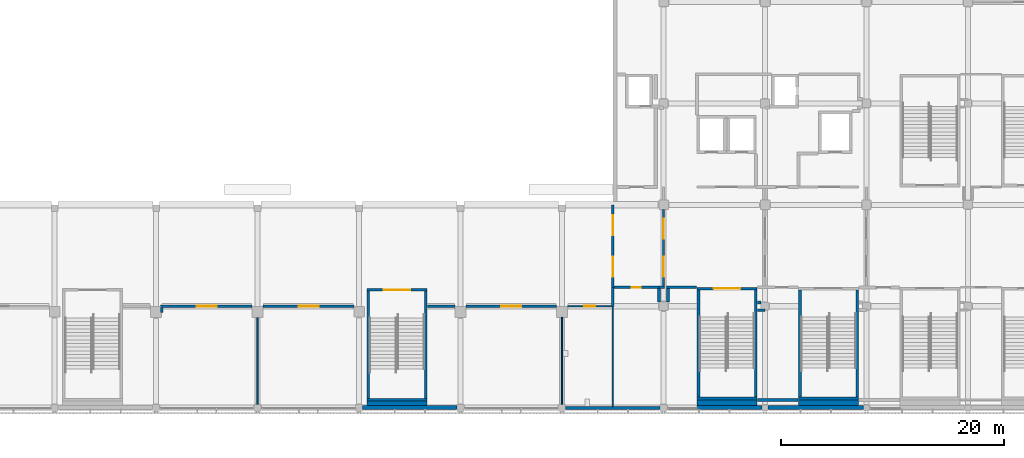
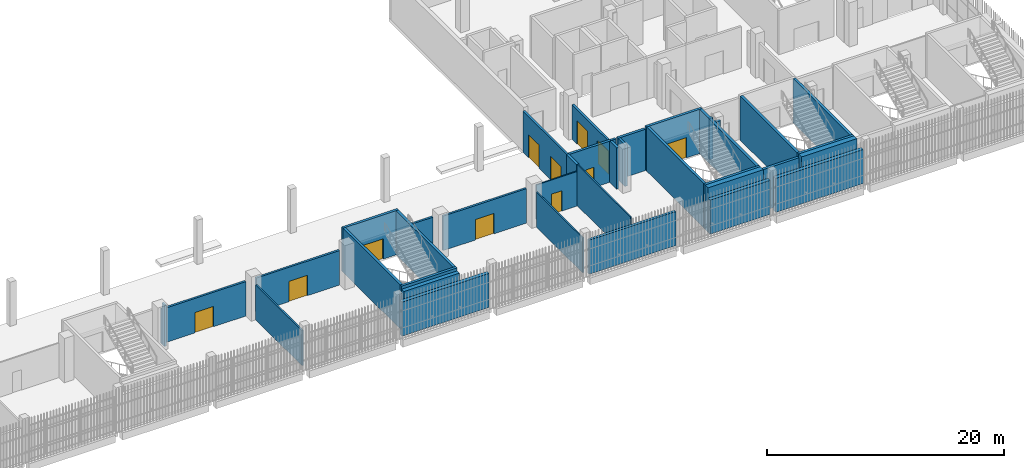
# One storey, part 77 of 126: 38 walls, 11 doors, 11 openings.
"""IFC4 building model written with IfcOpenShell, lengths in metres."""

from ifc_helpers import new_model, si_unit, direction, frame, frame_2d, origin, place, context, subcontext, project, spatial, rectangle, extrude, material, layer, layer_set, type_object, element, fill, save


model = new_model("IFC4")

# Units and contexts
model_context = context("Model", 3, precision=1e-05, world=origin(), true_north=direction((0.0, 1.0)))
body_context = subcontext(model_context, "Body", "Model", "MODEL_VIEW")
ifc_project = project(units=[si_unit("LENGTHUNIT", "METRE"), si_unit("AREAUNIT", "SQUARE_METRE"), si_unit("VOLUMEUNIT", "CUBIC_METRE"), si_unit("PLANEANGLEUNIT", "RADIAN"), si_unit("MASSUNIT", "GRAM", prefix="KILO")], contexts=[model_context])

# Site, building, storey
site_placement = place(None, origin())
site = spatial("IfcSite", under=ifc_project, at=site_placement, CompositionType="ELEMENT")
building_placement = place(site_placement, origin())
building = spatial("IfcBuilding", under=site, at=building_placement, Name="Shirokan Park Arena", CompositionType="ELEMENT")
storey_placement = place(building_placement, frame((0.0, 0.0, 6.3701171875)))
storey = spatial("IfcBuildingStorey", under=building, at=storey_placement, Name="L01", CompositionType="ELEMENT", Elevation=6.3701171875)

# Walls
ifc_material_1 = material(Name="Plaster")
ifc_layer_1 = layer(ifc_material_1, 0.014892578125, Name="Plaster")
ifc_material_2 = material(Name="Concrete blockwork", Category="masonry")
ifc_layer_2 = layer(ifc_material_2, 0.219970703125, Name="Concrete blockwork 220")
ifc_layer_3 = layer(ifc_material_1, 0.014892578125, Name="Plaster")
ifc_layer_set_1 = layer_set([ifc_layer_1, ifc_layer_2, ifc_layer_3], Name="Plaster + Concrete blockwork 220")
wall_type_1 = type_object("IfcWallType", Name="Compartment wall 250", PredefinedType="SOLIDWALL", material=ifc_layer_set_1)
wall_1_placement = place(storey_placement, frame((104.64990234375, 9.10009765625, 0.0), z_axis=(0.0, 0.0, 1.0), x_axis=(0.0, 1.0, 0.0)))
element("IfcWall", 1, at=wall_1_placement, inside=storey, type_object=wall_type_1, Name="Compartment wall 250 L01", PredefinedType="SOLIDWALL", context=body_context, shape_type="SweptSolid", body=[
    extrude(rectangle(XDim=1.699951171875, YDim=0.25, at=frame_2d((0.85009765625, 0.0))), origin(), (0.0, 0.0, 1.0), 4.25),
])
wall_2_placement = place(storey_placement, frame((108.800048828125, 9.5, 0.0), z_axis=(0.0, 0.0, 1.0), x_axis=(0.0, 1.0, 0.0)))
element("IfcWall", 2, at=wall_2_placement, inside=storey, type_object=wall_type_1, Name="Compartment wall 250 L01", PredefinedType="SOLIDWALL", context=body_context, shape_type="SweptSolid", body=[
    extrude(rectangle(XDim=1.175048828125, YDim=0.25, at=frame_2d((0.58740234375, 0.0))), origin(), (0.0, 0.0, 1.0), 4.25),
])

# Wall, opening, door
wall_3_placement = place(storey_placement, frame((108.800048828125, 10.800048828125, 0.0), z_axis=(0.0, 0.0, 1.0), x_axis=(-1.0, 0.0, 0.0)))
wall_3 = element("IfcWall", 3, at=wall_3_placement, inside=storey, type_object=wall_type_1, Name="Compartment wall 250 L01", PredefinedType="SOLIDWALL", context=body_context, shape_type="SweptSolid", body=[
    extrude(rectangle(XDim=4.025146484375, YDim=0.25, at=frame_2d((2.0126953125, 0.0))), origin(), (0.0, 0.0, 1.0), 4.25),
])
opening_1_placement = place(wall_3_placement, frame((1.64990234375, 0.0, 0.0)))
opening_1 = element("IfcOpeningElement", 4, at=opening_1_placement, cuts=wall_3, Name="Opening D-1016", PredefinedType="OPENING", context=body_context, shape_type="SweptSolid", body=[
    extrude(rectangle(XDim=0.800048828125, YDim=2.10009765625, at=frame_2d((0.39990234375, 1.050048828125))), frame((0.0, 0.135009765625, 0.0), z_axis=(0.0, -1.0, 0.0), x_axis=(1.0, 0.0, 0.0)), (0.0, 0.0, 1.0), 0.27001953125),
])
ifc_material_3 = material(Name="Timber door set, fire resisting", Category="wood")
door_type_1 = type_object("IfcDoorType", Name="Cleaner store door 800 x 2100", OperationType="SINGLE_SWING_LEFT", PredefinedType="DOOR", material=ifc_material_3)
door_1_placement = place(opening_1_placement, origin())
door_1 = element("IfcDoor", 5, at=door_1_placement, inside=storey, type_object=door_type_1, Name="Door to Cleaner's Store 1.23 D-1016", OperationType="SINGLE_SWING_LEFT", OverallHeight=2.10009765625, OverallWidth=0.800048828125, PredefinedType="DOOR", context=body_context, shape_type="SweptSolid", body=[
    extrude(rectangle(XDim=0.800048828125, YDim=2.10009765625, at=frame_2d((0.39990234375, 1.050048828125))), frame((0.0, 0.02490234375, 0.0), z_axis=(0.0, -1.0, 0.0), x_axis=(1.0, 0.0, 0.0)), (0.0, 0.0, 1.0), 0.050048828125),
])
fill(opening_1, door_1)

# Walls
wall_4_placement = place(storey_placement, frame((109.60009765625, 10.675048828125, 0.0), z_axis=(0.0, 0.0, 1.0), x_axis=(0.0, -1.0, 0.0)))
element("IfcWall", 6, at=wall_4_placement, inside=storey, type_object=wall_type_1, Name="Compartment wall 250 L01", PredefinedType="SOLIDWALL", context=body_context, shape_type="SweptSolid", body=[
    extrude(rectangle(XDim=1.175048828125, YDim=0.25, at=frame_2d((0.58740234375, 0.0))), origin(), (0.0, 0.0, 1.0), 4.25),
])
wall_5_placement = place(storey_placement, frame((112.169921875, 10.800048828125, 0.0), z_axis=(0.0, 0.0, 1.0), x_axis=(-1.0, 0.0, 0.0)))
element("IfcWall", 7, at=wall_5_placement, inside=storey, type_object=wall_type_1, Name="Compartment wall 250 L01", PredefinedType="SOLIDWALL", context=body_context, shape_type="SweptSolid", body=[
    extrude(rectangle(XDim=2.69482421875, YDim=0.25, at=frame_2d((1.347412109375, 0.0))), origin(), (0.0, 0.0, 1.0), 4.25),
])
wall_6_placement = place(storey_placement, frame((117.6298828125, 8.75, 0.0), z_axis=(0.0, 0.0, 1.0), x_axis=(1.0, 0.0, 0.0)))
element("IfcWall", 8, at=wall_6_placement, inside=storey, type_object=wall_type_1, Name="Compartment wall 250 L01", PredefinedType="SOLIDWALL", context=body_context, shape_type="SweptSolid", body=[
    extrude(rectangle(XDim=0.670166015625, YDim=0.25, at=frame_2d((0.3349609375, 0.0))), origin(), (0.0, 0.0, 1.0), 4.25),
])
wall_7_placement = place(storey_placement, frame((117.949951171875, 9.449951171875, 0.0), z_axis=(0.0, 0.0, 1.0), x_axis=(-1.0, 0.0, 0.0)))
element("IfcWall", 9, at=wall_7_placement, inside=storey, type_object=wall_type_1, Name="Compartment wall 250 L01", PredefinedType="SOLIDWALL", context=body_context, shape_type="SweptSolid", body=[
    extrude(rectangle(XDim=0.320068359375, YDim=0.25, at=frame_2d((0.16015625, 0.0))), origin(), (0.0, 0.0, 1.0), 4.25),
])
wall_8_placement = place(storey_placement, frame((121.27001953125, 0.699951171875, 0.0), z_axis=(0.0, 0.0, 1.0), x_axis=(-1.0, 0.0, 0.0)))
element("IfcWall", 10, at=wall_8_placement, inside=storey, type_object=wall_type_1, Name="Compartment wall 250 L01", PredefinedType="SOLIDWALL", context=body_context, shape_type="SweptSolid", body=[
    extrude(rectangle(XDim=3.64013671875, YDim=0.25, at=frame_2d((1.820068359375, 0.0))), origin(), (0.0, 0.0, 1.0), 4.25),
])
ifc_material_4 = material(Name="Gypsum board")
ifc_layer_4 = layer(ifc_material_4, 0.02490234375, Name="Gypsum board, two layers")
ifc_material_5 = material(Name="Mineral wool insulation")
ifc_layer_5 = layer(ifc_material_5, 0.14990234375, Name="Mineral wool insulation")
ifc_layer_6 = layer(ifc_material_4, 0.02490234375, Name="Gypsum board, two layers")
ifc_layer_set_2 = layer_set([ifc_layer_4, ifc_layer_5, ifc_layer_6], Name="Gypsum board, two layers + Mineral wool insulation")
wall_type_2 = type_object("IfcWallType", Name="Corridor wall 200", PredefinedType="PARTITIONING", material=ifc_layer_set_2)
wall_9_placement = place(storey_placement, frame((64.199951171875, 9.0, 0.0), z_axis=(0.0, 0.0, 1.0), x_axis=(0.0, -1.0, 0.0)))
element("IfcWall", 11, at=wall_9_placement, inside=storey, type_object=wall_type_2, Name="Corridor wall 200 L01", PredefinedType="PARTITIONING", context=body_context, shape_type="SweptSolid", body=[
    extrude(rectangle(XDim=0.449951171875, YDim=0.199951171875, at=frame_2d((0.22509765625, 0.0))), origin(), (0.0, 0.0, 1.0), 4.25),
])

# Wall, opening, door
wall_10_placement = place(storey_placement, frame((72.300048828125, 9.10009765625, 0.0), z_axis=(0.0, 0.0, 1.0), x_axis=(-1.0, 0.0, 0.0)))
wall_10 = element("IfcWall", 12, at=wall_10_placement, inside=storey, type_object=wall_type_2, Name="Corridor wall 200 L01", PredefinedType="PARTITIONING", context=body_context, shape_type="SweptSolid", body=[
    extrude(rectangle(XDim=8.199951171875, YDim=0.199951171875, at=frame_2d((4.10009765625, 0.0))), origin(), (0.0, 0.0, 1.0), 3.5498046875),
])
opening_2_placement = place(wall_10_placement, frame((3.14990234375, 0.0, 0.0)))
opening_2 = element("IfcOpeningElement", 13, at=opening_2_placement, cuts=wall_10, Name="Opening D-1039", PredefinedType="OPENING", context=body_context, shape_type="SweptSolid", body=[
    extrude(rectangle(XDim=1.800048828125, YDim=2.10009765625, at=frame_2d((0.89990234375, 1.050048828125))), frame((0.0, 0.10986328125, 0.0), z_axis=(0.0, -1.0, 0.0), x_axis=(1.0, 0.0, 0.0)), (0.0, 0.0, 1.0), 0.219970703125),
])
door_type_2 = type_object("IfcDoorType", Name="Double door 1800 x 2100", OperationType="DOUBLE_DOOR_SINGLE_SWING", PredefinedType="DOOR", material=ifc_material_3)
door_2_placement = place(opening_2_placement, origin())
door_2 = element("IfcDoor", 14, at=door_2_placement, inside=storey, type_object=door_type_2, Name="Door to Concession Stand 1.13 D-1039", OperationType="DOUBLE_DOOR_SINGLE_SWING", OverallHeight=2.10009765625, OverallWidth=1.800048828125, PredefinedType="DOOR", context=body_context, shape_type="SweptSolid", body=[
    extrude(rectangle(XDim=1.800048828125, YDim=2.10009765625, at=frame_2d((0.89990234375, 1.050048828125))), frame((0.0, 0.02490234375, 0.0), z_axis=(0.0, -1.0, 0.0), x_axis=(1.0, 0.0, 0.0)), (0.0, 0.0, 1.0), 0.050048828125),
])
fill(opening_2, door_2)

wall_11_placement = place(storey_placement, frame((81.425048828125, 9.10009765625, 0.0), z_axis=(0.0, 0.0, 1.0), x_axis=(-1.0, 0.0, 0.0)))
wall_11 = element("IfcWall", 15, at=wall_11_placement, inside=storey, type_object=wall_type_2, Name="Corridor wall 200 L01", PredefinedType="PARTITIONING", context=body_context, shape_type="SweptSolid", body=[
    extrude(rectangle(XDim=8.125, YDim=0.199951171875, at=frame_2d((4.0625, 0.0))), origin(), (0.0, 0.0, 1.0), 3.5498046875),
])
opening_3_placement = place(wall_11_placement, frame((3.14990234375, 0.0, 0.0)))
opening_3 = element("IfcOpeningElement", 16, at=opening_3_placement, cuts=wall_11, Name="Opening D-1040", PredefinedType="OPENING", context=body_context, shape_type="SweptSolid", body=[
    extrude(rectangle(XDim=1.800048828125, YDim=2.10009765625, at=frame_2d((0.89990234375, 1.050048828125))), frame((0.0, 0.10986328125, 0.0), z_axis=(0.0, -1.0, 0.0), x_axis=(1.0, 0.0, 0.0)), (0.0, 0.0, 1.0), 0.219970703125),
])
door_3_placement = place(opening_3_placement, origin())
door_3 = element("IfcDoor", 17, at=door_3_placement, inside=storey, type_object=door_type_2, Name="Door to Concession Stand 1.14 D-1040", OperationType="DOUBLE_DOOR_SINGLE_SWING", OverallHeight=2.10009765625, OverallWidth=1.800048828125, PredefinedType="DOOR", context=body_context, shape_type="SweptSolid", body=[
    extrude(rectangle(XDim=1.800048828125, YDim=2.10009765625, at=frame_2d((0.89990234375, 1.050048828125))), frame((0.0, 0.02490234375, 0.0), z_axis=(0.0, -1.0, 0.0), x_axis=(1.0, 0.0, 0.0)), (0.0, 0.0, 1.0), 0.050048828125),
])
fill(opening_3, door_3)

# Wall
wall_12_placement = place(storey_placement, frame((90.5, 9.10009765625, 0.0), z_axis=(0.0, 0.0, 1.0), x_axis=(-1.0, 0.0, 0.0)))
element("IfcWall", 18, at=wall_12_placement, inside=storey, type_object=wall_type_2, Name="Corridor wall 200 L01", PredefinedType="PARTITIONING", context=body_context, shape_type="SweptSolid", body=[
    extrude(rectangle(XDim=2.469970703125, YDim=0.199951171875, at=frame_2d((1.23486328125, 0.0))), origin(), (0.0, 0.0, 1.0), 3.7998046875),
])

# Wall, opening, door
wall_13_placement = place(storey_placement, frame((99.60009765625, 9.10009765625, 0.0), z_axis=(0.0, 0.0, 1.0), x_axis=(-1.0, 0.0, 0.0)))
wall_13 = element("IfcWall", 19, at=wall_13_placement, inside=storey, type_object=wall_type_2, Name="Corridor wall 200 L01", PredefinedType="PARTITIONING", context=body_context, shape_type="SweptSolid", body=[
    extrude(rectangle(XDim=8.10009765625, YDim=0.199951171875, at=frame_2d((4.050048828125, 0.0))), origin(), (0.0, 0.0, 1.0), 3.5498046875),
])
opening_4_placement = place(wall_13_placement, frame((3.14990234375, 0.0, 0.0)))
opening_4 = element("IfcOpeningElement", 20, at=opening_4_placement, cuts=wall_13, Name="Opening D-1041", PredefinedType="OPENING", context=body_context, shape_type="SweptSolid", body=[
    extrude(rectangle(XDim=1.800048828125, YDim=2.10009765625, at=frame_2d((0.89990234375, 1.050048828125))), frame((0.0, 0.10986328125, 0.0), z_axis=(0.0, -1.0, 0.0), x_axis=(1.0, 0.0, 0.0)), (0.0, 0.0, 1.0), 0.219970703125),
])
door_4_placement = place(opening_4_placement, origin())
door_4 = element("IfcDoor", 21, at=door_4_placement, inside=storey, type_object=door_type_2, Name="Door to Concession Stand 1.15 D-1041", OperationType="DOUBLE_DOOR_SINGLE_SWING", OverallHeight=2.10009765625, OverallWidth=1.800048828125, PredefinedType="DOOR", context=body_context, shape_type="SweptSolid", body=[
    extrude(rectangle(XDim=1.800048828125, YDim=2.10009765625, at=frame_2d((0.89990234375, 1.050048828125))), frame((0.0, 0.02490234375, 0.0), z_axis=(0.0, -1.0, 0.0), x_axis=(1.0, 0.0, 0.0)), (0.0, 0.0, 1.0), 0.050048828125),
])
fill(opening_4, door_4)

# Wall, openings, doors
wall_14_placement = place(storey_placement, frame((104.64990234375, 10.800048828125, 0.0), z_axis=(0.0, 0.0, 1.0), x_axis=(0.0, 1.0, 0.0)))
wall_14 = element("IfcWall", 22, at=wall_14_placement, inside=storey, type_object=wall_type_2, Name="Corridor wall 200 L01", PredefinedType="PARTITIONING", context=body_context, shape_type="SweptSolid", body=[
    extrude(rectangle(XDim=7.369873046875, YDim=0.199951171875, at=frame_2d((3.68505859375, 0.0))), origin(), (0.0, 0.0, 1.0), 4.25),
])
opening_5_placement = place(wall_14_placement, frame((0.949951171875, 0.0, 0.0)))
opening_5 = element("IfcOpeningElement", 23, at=opening_5_placement, cuts=wall_14, Name="Opening D-1071", PredefinedType="OPENING", context=body_context, shape_type="SweptSolid", body=[
    extrude(rectangle(XDim=1.800048828125, YDim=2.39990234375, at=frame_2d((0.89990234375, 1.199951171875))), frame((0.0, 0.10986328125, 0.0), z_axis=(0.0, -1.0, 0.0), x_axis=(1.0, 0.0, 0.0)), (0.0, 0.0, 1.0), 0.219970703125),
])
opening_6_placement = place(wall_14_placement, frame((4.64990234375, 0.0, 0.0)))
opening_6 = element("IfcOpeningElement", 24, at=opening_6_placement, cuts=wall_14, Name="Opening D-1072", PredefinedType="OPENING", context=body_context, shape_type="SweptSolid", body=[
    extrude(rectangle(XDim=1.800048828125, YDim=2.39990234375, at=frame_2d((0.89990234375, 1.199951171875))), frame((0.0, 0.10986328125, 0.0), z_axis=(0.0, -1.0, 0.0), x_axis=(1.0, 0.0, 0.0)), (0.0, 0.0, 1.0), 0.219970703125),
])
ifc_material_6 = material(Name="Glazed steel door set, fire resisting", Category="steel")
door_type_3 = type_object("IfcDoorType", Name="Lift lobby door 1800 x 2400", OperationType="DOUBLE_DOOR_SINGLE_SWING", PredefinedType="DOOR", material=ifc_material_6)
door_5_placement = place(opening_5_placement, origin())
door_5 = element("IfcDoor", 25, at=door_5_placement, inside=storey, type_object=door_type_3, Name="Door between Kiosk Court 2.1.4 and Concourse L01 South D-1071", OperationType="DOUBLE_DOOR_SINGLE_SWING", OverallHeight=2.39990234375, OverallWidth=1.800048828125, PredefinedType="DOOR", context=body_context, shape_type="SweptSolid", body=[
    extrude(rectangle(XDim=1.800048828125, YDim=2.39990234375, at=frame_2d((0.89990234375, 1.199951171875))), frame((0.0, 0.02490234375, 0.0), z_axis=(0.0, -1.0, 0.0), x_axis=(1.0, 0.0, 0.0)), (0.0, 0.0, 1.0), 0.050048828125),
])
fill(opening_5, door_5)
door_6_placement = place(opening_6_placement, origin())
door_6 = element("IfcDoor", 26, at=door_6_placement, inside=storey, type_object=door_type_3, Name="Door between Kiosk Court 2.1.4 and Concourse L01 South D-1072", OperationType="DOUBLE_DOOR_SINGLE_SWING", OverallHeight=2.39990234375, OverallWidth=1.800048828125, PredefinedType="DOOR", context=body_context, shape_type="SweptSolid", body=[
    extrude(rectangle(XDim=1.800048828125, YDim=2.39990234375, at=frame_2d((0.89990234375, 1.199951171875))), frame((0.0, 0.02490234375, 0.0), z_axis=(0.0, -1.0, 0.0), x_axis=(1.0, 0.0, 0.0)), (0.0, 0.0, 1.0), 0.050048828125),
])
fill(opening_6, door_6)

# Wall
wall_15_placement = place(storey_placement, frame((108.800048828125, 10.800048828125, 0.0), z_axis=(0.0, 0.0, 1.0), x_axis=(1.0, 0.0, 0.0)))
element("IfcWall", 27, at=wall_15_placement, inside=storey, type_object=wall_type_2, Name="Corridor wall 200 L01", PredefinedType="PARTITIONING", context=body_context, shape_type="SweptSolid", body=[
    extrude(rectangle(XDim=0.5, YDim=0.199951171875, at=frame_2d((0.25, 0.0))), origin(), (0.0, 0.0, 1.0), 4.25),
])

# Wall, openings, doors
wall_16_placement = place(storey_placement, frame((109.199951171875, 10.89990234375, 0.0), z_axis=(0.0, 0.0, 1.0), x_axis=(0.0, 1.0, 0.0)))
wall_16 = element("IfcWall", 28, at=wall_16_placement, inside=storey, type_object=wall_type_2, Name="Corridor wall 200 L01", PredefinedType="PARTITIONING", context=body_context, shape_type="SweptSolid", body=[
    extrude(rectangle(XDim=6.875, YDim=0.199951171875, at=frame_2d((3.4375, 0.0))), origin(), (0.0, 0.0, 1.0), 3.5498046875),
])
opening_7_placement = place(wall_16_placement, frame((0.85009765625, 0.0, 0.0)))
opening_7 = element("IfcOpeningElement", 29, at=opening_7_placement, cuts=wall_16, Name="Opening D-1068", PredefinedType="OPENING", context=body_context, shape_type="SweptSolid", body=[
    extrude(rectangle(XDim=1.800048828125, YDim=2.39990234375, at=frame_2d((0.89990234375, 1.199951171875))), frame((0.0, 0.10986328125, 0.0), z_axis=(0.0, -1.0, 0.0), x_axis=(1.0, 0.0, 0.0)), (0.0, 0.0, 1.0), 0.219970703125),
])
opening_8_placement = place(wall_16_placement, frame((4.25, 0.0, 0.0)))
opening_8 = element("IfcOpeningElement", 30, at=opening_8_placement, cuts=wall_16, Name="Opening D-1069", PredefinedType="OPENING", context=body_context, shape_type="SweptSolid", body=[
    extrude(rectangle(XDim=1.800048828125, YDim=2.39990234375, at=frame_2d((0.89990234375, 1.199951171875))), frame((0.0, 0.10986328125, 0.0), z_axis=(0.0, -1.0, 0.0), x_axis=(1.0, 0.0, 0.0)), (0.0, 0.0, 1.0), 0.219970703125),
])
door_7_placement = place(opening_7_placement, origin())
door_7 = element("IfcDoor", 31, at=door_7_placement, inside=storey, type_object=door_type_3, Name="Door between First Aid Lobby 2.1.3 and Kiosk Court 2.1.4 D-1068", OperationType="DOUBLE_DOOR_SINGLE_SWING", OverallHeight=2.39990234375, OverallWidth=1.800048828125, PredefinedType="DOOR", context=body_context, shape_type="SweptSolid", body=[
    extrude(rectangle(XDim=1.800048828125, YDim=2.39990234375, at=frame_2d((0.89990234375, 1.199951171875))), frame((0.0, 0.02490234375, 0.0), z_axis=(0.0, -1.0, 0.0), x_axis=(1.0, 0.0, 0.0)), (0.0, 0.0, 1.0), 0.050048828125),
])
fill(opening_7, door_7)
door_8_placement = place(opening_8_placement, origin())
door_8 = element("IfcDoor", 32, at=door_8_placement, inside=storey, type_object=door_type_3, Name="Door between First Aid Lobby 2.1.3 and Kiosk Court 2.1.4 D-1069", OperationType="DOUBLE_DOOR_SINGLE_SWING", OverallHeight=2.39990234375, OverallWidth=1.800048828125, PredefinedType="DOOR", context=body_context, shape_type="SweptSolid", body=[
    extrude(rectangle(XDim=1.800048828125, YDim=2.39990234375, at=frame_2d((0.89990234375, 1.199951171875))), frame((0.0, 0.02490234375, 0.0), z_axis=(0.0, -1.0, 0.0), x_axis=(1.0, 0.0, 0.0)), (0.0, 0.0, 1.0), 0.050048828125),
])
fill(opening_8, door_8)

# Walls
ifc_material_7 = material(Name="Cedar cladding")
ifc_layer_7 = layer(ifc_material_7, 0.030029296875, Name="Cedar cladding")
ifc_layer_8 = layer(ifc_material_5, 0.10009765625, Name="Mineral wool insulation")
ifc_material_8 = material(Name="Concrete C35", Category="concrete")
ifc_layer_9 = layer(ifc_material_8, 0.199951171875, Name="Concrete C35")
ifc_material_9 = material(Name="Gypsum board lining")
ifc_layer_10 = layer(ifc_material_9, 0.02001953125, Name="Gypsum board lining")
ifc_layer_set_3 = layer_set([ifc_layer_7, ifc_layer_8, ifc_layer_9, ifc_layer_10], Name="Cedar cladding + Mineral wool insulation + Concrete C35 + Gypsum board lining")
wall_type_3 = type_object("IfcWallType", Name="Insulated tower wall 350", PredefinedType="SOLIDWALL", material=ifc_layer_set_3)
wall_17_placement = place(storey_placement, frame((82.199951171875, 0.02490234375, 0.0), z_axis=(0.0, 0.0, 1.0), x_axis=(1.0, 0.0, 0.0)))
element("IfcWall", 33, at=wall_17_placement, inside=storey, type_object=wall_type_3, Name="South facade wall bay 10 L01", PredefinedType="SOLIDWALL", context=body_context, shape_type="SweptSolid", body=[
    extrude(rectangle(XDim=8.47509765625, YDim=0.35009765625, at=frame_2d((4.237548828125, 0.0))), origin(), (0.0, 0.0, 1.0), 3.5),
])
wall_18_placement = place(storey_placement, frame((112.199951171875, 0.02490234375, 0.0), z_axis=(0.0, 0.0, 1.0), x_axis=(1.0, 0.0, 0.0)))
element("IfcWall", 34, at=wall_18_placement, inside=storey, type_object=wall_type_3, Name="South facade wall bay 13 L01", PredefinedType="SOLIDWALL", context=body_context, shape_type="SweptSolid", body=[
    extrude(rectangle(XDim=5.824951171875, YDim=0.35009765625, at=frame_2d((2.91259765625, 0.0))), origin(), (0.0, 0.0, 1.0), 3.5),
])
wall_19_placement = place(storey_placement, frame((118.574951171875, 0.02490234375, 0.0), z_axis=(0.0, 0.0, 1.0), x_axis=(1.0, 0.0, 0.0)))
element("IfcWall", 35, at=wall_19_placement, inside=storey, type_object=wall_type_3, Name="South facade wall bay 14 L01", PredefinedType="SOLIDWALL", context=body_context, shape_type="SweptSolid", body=[
    extrude(rectangle(XDim=8.550048828125, YDim=0.35009765625, at=frame_2d((4.27490234375, 0.0))), origin(), (0.0, 0.0, 1.0), 3.5),
])
ifc_material_10 = material(Name="Concrete C40/50 precast", Category="concrete")
ifc_layer_11 = layer(ifc_material_10, 0.10009765625, Name="Concrete C40/50 precast")
ifc_layer_12 = layer(ifc_material_5, 0.10009765625, Name="Mineral wool insulation")
ifc_layer_13 = layer(ifc_material_9, 0.050048828125, Name="Gypsum board lining")
ifc_layer_set_4 = layer_set([ifc_layer_11, ifc_layer_12, ifc_layer_13], Name="Concrete C40/50 precast + Mineral wool insulation + Gypsum board lining")
wall_type_4 = type_object("IfcWallType", Name="Precast concrete panel wall 250", PredefinedType="SOLIDWALL", material=ifc_layer_set_4)
wall_20_placement = place(storey_placement, frame((100.425048828125, -0.02490234375, 0.0), z_axis=(0.0, 0.0, 1.0), x_axis=(1.0, 0.0, 0.0)))
element("IfcWall", 36, at=wall_20_placement, inside=storey, type_object=wall_type_4, Name="South facade wall bay 12 L01", PredefinedType="SOLIDWALL", context=body_context, shape_type="SweptSolid", body=[
    extrude(rectangle(XDim=8.449951171875, YDim=0.25, at=frame_2d((4.22509765625, 0.0))), origin(), (0.0, 0.0, 1.0), 3.5),
])
ifc_material_11 = material(Name="Concrete C40/50", Category="concrete")
ifc_layer_14 = layer(ifc_material_11, 0.25)
ifc_layer_set_5 = layer_set([ifc_layer_14], Name="Concrete C40/50 250 mm")
wall_type_5 = type_object("IfcWallType", Name="RC shear wall 250", PredefinedType="SHEAR", material=ifc_layer_set_5)
wall_21_placement = place(storey_placement, frame((126.699951171875, 0.824951171875, 0.0), z_axis=(0.0, 0.0, 1.0), x_axis=(-1.0, 0.0, 0.0)))
element("IfcWall", 37, at=wall_21_placement, inside=storey, type_object=wall_type_5, Name="Shaft wall Exit Stair 2.C S L01", PredefinedType="SHEAR", context=body_context, shape_type="SweptSolid", body=[
    extrude(rectangle(XDim=5.39990234375, YDim=0.25, at=frame_2d((2.699951171875, 0.0))), origin(), (0.0, 0.0, 1.0), 4.5498046875),
])
for number, where, z_axis, x_axis, name in (
    (38, (121.425048828125, 10.550048828125, 0.0), (0.0, 0.0, 1.0), (0.0, -1.0, 0.0), "Shaft wall Exit Stair 2.C W L01"),
    (39, (126.574951171875, 10.550048828125, 0.0), (0.0, 0.0, 1.0), (0.0, -1.0, 0.0), "Shaft wall Exit Stair 2.C E L01"),
):
    element("IfcWall", number, at=place(storey_placement, frame(where, z_axis=z_axis, x_axis=x_axis)), inside=storey, type_object=wall_type_5, Name=name, PredefinedType="SHEAR", context=body_context, shape_type="SweptSolid", body=[
        extrude(rectangle(XDim=9.60009765625, YDim=0.25, at=frame_2d((4.800048828125, 0.0))), origin(), (0.0, 0.0, 1.0), 4.5498046875),
    ])
wall_22_placement = place(storey_placement, frame((117.60009765625, 0.824951171875, 0.0), z_axis=(0.0, 0.0, 1.0), x_axis=(-1.0, 0.0, 0.0)))
element("IfcWall", 40, at=wall_22_placement, inside=storey, type_object=wall_type_5, Name="Shaft wall Exit Stair 2.D S L01", PredefinedType="SHEAR", context=body_context, shape_type="SweptSolid", body=[
    extrude(rectangle(XDim=5.400146484375, YDim=0.25, at=frame_2d((2.7001953125, 0.0))), origin(), (0.0, 0.0, 1.0), 4.5498046875),
])

# Wall, opening, door
wall_23_placement = place(storey_placement, frame((117.60009765625, 10.675048828125, 0.0), z_axis=(0.0, 0.0, 1.0), x_axis=(-1.0, 0.0, 0.0)))
wall_23 = element("IfcWall", 41, at=wall_23_placement, inside=storey, type_object=wall_type_5, Name="Shaft wall Exit Stair 2.D N L01", PredefinedType="SHEAR", context=body_context, shape_type="SweptSolid", body=[
    extrude(rectangle(XDim=5.400146484375, YDim=0.25, at=frame_2d((2.7001953125, 0.0))), origin(), (0.0, 0.0, 1.0), 4.5498046875),
])
opening_9_placement = place(wall_23_placement, frame((1.5, 0.0, 0.0)))
opening_9 = element("IfcOpeningElement", 42, at=opening_9_placement, cuts=wall_23, Name="Opening D-1109", PredefinedType="OPENING", context=body_context, shape_type="SweptSolid", body=[
    extrude(rectangle(XDim=2.39990234375, YDim=2.10009765625, at=frame_2d((1.199951171875, 1.050048828125))), frame((0.0, 0.135009765625, 0.0), z_axis=(0.0, -1.0, 0.0), x_axis=(1.0, 0.0, 0.0)), (0.0, 0.0, 1.0), 0.27001953125),
])
ifc_material_12 = material(Name="Steel door set, fire resisting", Category="steel")
door_type_4 = type_object("IfcDoorType", Name="Stair door 2400 x 2100", OperationType="DOUBLE_DOOR_SINGLE_SWING", PredefinedType="DOOR", material=ifc_material_12)
door_9_placement = place(opening_9_placement, origin())
door_9 = element("IfcDoor", 43, at=door_9_placement, inside=storey, type_object=door_type_4, Name="Stair door Exit Stair 2.D D-1109", OperationType="DOUBLE_DOOR_SINGLE_SWING", OverallHeight=2.10009765625, OverallWidth=2.39990234375, PredefinedType="DOOR", context=body_context, shape_type="SweptSolid", body=[
    extrude(rectangle(XDim=2.39990234375, YDim=2.10009765625, at=frame_2d((1.199951171875, 1.050048828125))), frame((0.0, 0.02490234375, 0.0), z_axis=(0.0, -1.0, 0.0), x_axis=(1.0, 0.0, 0.0)), (0.0, 0.0, 1.0), 0.050048828125),
])
fill(opening_9, door_9)

# Walls
for number, where, z_axis, x_axis, name in (
    (44, (112.324951171875, 10.550048828125, 0.0), (0.0, 0.0, 1.0), (0.0, -1.0, 0.0), "Shaft wall Exit Stair 2.D W L01"),
    (45, (117.47509765625, 10.550048828125, 0.0), (0.0, 0.0, 1.0), (0.0, -1.0, 0.0), "Shaft wall Exit Stair 2.D E L01"),
):
    element("IfcWall", number, at=place(storey_placement, frame(where, z_axis=z_axis, x_axis=x_axis)), inside=storey, type_object=wall_type_5, Name=name, PredefinedType="SHEAR", context=body_context, shape_type="SweptSolid", body=[
        extrude(rectangle(XDim=9.60009765625, YDim=0.25, at=frame_2d((4.800048828125, 0.0))), origin(), (0.0, 0.0, 1.0), 4.5498046875),
    ])
wall_24_placement = place(storey_placement, frame((88.0, 0.72509765625, 0.0), z_axis=(0.0, 0.0, 1.0), x_axis=(-1.0, 0.0, 0.0)))
element("IfcWall", 46, at=wall_24_placement, inside=storey, type_object=wall_type_5, Name="Shaft wall Entrance Stair E1.2 S L01", PredefinedType="SHEAR", context=body_context, shape_type="SweptSolid", body=[
    extrude(rectangle(XDim=5.39990234375, YDim=0.25, at=frame_2d((2.699951171875, 0.0))), origin(), (0.0, 0.0, 1.0), 4.5498046875),
])

# Wall, opening, door
wall_25_placement = place(storey_placement, frame((88.0, 10.574951171875, 0.0), z_axis=(0.0, 0.0, 1.0), x_axis=(-1.0, 0.0, 0.0)))
wall_25 = element("IfcWall", 47, at=wall_25_placement, inside=storey, type_object=wall_type_5, Name="Shaft wall Entrance Stair E1.2 N L01", PredefinedType="SHEAR", context=body_context, shape_type="SweptSolid", body=[
    extrude(rectangle(XDim=5.39990234375, YDim=0.25, at=frame_2d((2.699951171875, 0.0))), origin(), (0.0, 0.0, 1.0), 4.5498046875),
])
opening_10_placement = place(wall_25_placement, frame((1.5, 0.0, 0.0)))
opening_10 = element("IfcOpeningElement", 48, at=opening_10_placement, cuts=wall_25, Name="Opening D-1127", PredefinedType="OPENING", context=body_context, shape_type="SweptSolid", body=[
    extrude(rectangle(XDim=2.39990234375, YDim=2.10009765625, at=frame_2d((1.199951171875, 1.050048828125))), frame((0.0, 0.135009765625, 0.0), z_axis=(0.0, -1.0, 0.0), x_axis=(1.0, 0.0, 0.0)), (0.0, 0.0, 1.0), 0.27001953125),
])
door_10_placement = place(opening_10_placement, origin())
door_10 = element("IfcDoor", 49, at=door_10_placement, inside=storey, type_object=door_type_4, Name="Stair door Entrance Stair E1.2 D-1127", OperationType="DOUBLE_DOOR_SINGLE_SWING", OverallHeight=2.10009765625, OverallWidth=2.39990234375, PredefinedType="DOOR", context=body_context, shape_type="SweptSolid", body=[
    extrude(rectangle(XDim=2.39990234375, YDim=2.10009765625, at=frame_2d((1.199951171875, 1.050048828125))), frame((0.0, 0.02490234375, 0.0), z_axis=(0.0, -1.0, 0.0), x_axis=(1.0, 0.0, 0.0)), (0.0, 0.0, 1.0), 0.050048828125),
])
fill(opening_10, door_10)

# Walls
for number, where, z_axis, x_axis, name in (
    (50, (82.72509765625, 10.449951171875, 0.0), (0.0, 0.0, 1.0), (0.0, -1.0, 0.0), "Shaft wall Entrance Stair E1.2 W L01"),
    (51, (87.875, 10.449951171875, 0.0), (0.0, 0.0, 1.0), (0.0, -1.0, 0.0), "Shaft wall Entrance Stair E1.2 E L01"),
):
    element("IfcWall", number, at=place(storey_placement, frame(where, z_axis=z_axis, x_axis=x_axis)), inside=storey, type_object=wall_type_5, Name=name, PredefinedType="SHEAR", context=body_context, shape_type="SweptSolid", body=[
        extrude(rectangle(XDim=9.599853515625, YDim=0.25, at=frame_2d((4.7998046875, 0.0))), origin(), (0.0, 0.0, 1.0), 4.5498046875),
    ])
ifc_layer_15 = layer(ifc_material_4, 0.012451171875, Name="Gypsum board")
ifc_layer_16 = layer(ifc_material_5, 0.125, Name="Mineral wool insulation")
ifc_layer_17 = layer(ifc_material_4, 0.012451171875, Name="Gypsum board")
ifc_layer_set_6 = layer_set([ifc_layer_15, ifc_layer_16, ifc_layer_17], Name="Gypsum board + Mineral wool insulation")
wall_type_6 = type_object("IfcWallType", Name="Room partition 150", PredefinedType="PARTITIONING", material=ifc_layer_set_6)
wall_26_placement = place(storey_placement, frame((72.800048828125, 8.10009765625, 0.0), z_axis=(0.0, 0.0, 1.0), x_axis=(0.0, -1.0, 0.0)))
element("IfcWall", 52, at=wall_26_placement, inside=storey, type_object=wall_type_6, Name="Room partition 150 L01", PredefinedType="PARTITIONING", context=body_context, shape_type="SweptSolid", body=[
    extrude(rectangle(XDim=7.800048828125, YDim=0.14990234375, at=frame_2d((3.89990234375, 0.0))), origin(), (0.0, 0.0, 1.0), 3.599853515625),
])
ifc_layer_18 = layer(ifc_material_8, 0.39990234375)
ifc_layer_set_7 = layer_set([ifc_layer_18], Name="Concrete C35 400 mm")
wall_type_7 = type_object("IfcWallType", Name="Shaft infill wall 400", PredefinedType="SOLIDWALL", material=ifc_layer_set_7)
wall_27_placement = place(storey_placement, frame((82.60009765625, 0.39990234375, 0.0), z_axis=(0.0, 0.0, 1.0), x_axis=(1.0, 0.0, 0.0)))
element("IfcWall", 53, at=wall_27_placement, inside=storey, type_object=wall_type_7, Name="Shaft infill wall L01", PredefinedType="SOLIDWALL", context=body_context, shape_type="SweptSolid", body=[
    extrude(rectangle(XDim=5.39990234375, YDim=0.39990234375, at=frame_2d((2.699951171875, 0.0))), origin(), (0.0, 0.0, 1.0), 4.25),
])
ifc_layer_19 = layer(ifc_material_8, 0.5)
ifc_layer_set_8 = layer_set([ifc_layer_19], Name="Concrete C35 500 mm")
wall_type_8 = type_object("IfcWallType", Name="Shaft infill wall 500", PredefinedType="SOLIDWALL", material=ifc_layer_set_8)
wall_28_placement = place(storey_placement, frame((121.300048828125, 0.449951171875, 0.0), z_axis=(0.0, 0.0, 1.0), x_axis=(1.0, 0.0, 0.0)))
element("IfcWall", 54, at=wall_28_placement, inside=storey, type_object=wall_type_8, Name="Shaft infill wall L01", PredefinedType="SOLIDWALL", context=body_context, shape_type="SweptSolid", body=[
    extrude(rectangle(XDim=5.39990234375, YDim=0.5, at=frame_2d((2.699951171875, 0.0))), origin(), (0.0, 0.0, 1.0), 4.5498046875),
])
wall_29_placement = place(storey_placement, frame((112.199951171875, 0.449951171875, 0.0), z_axis=(0.0, 0.0, 1.0), x_axis=(1.0, 0.0, 0.0)))
element("IfcWall", 55, at=wall_29_placement, inside=storey, type_object=wall_type_8, Name="Shaft infill wall L01", PredefinedType="SOLIDWALL", context=body_context, shape_type="SweptSolid", body=[
    extrude(rectangle(XDim=5.400146484375, YDim=0.5, at=frame_2d((2.7001953125, 0.0))), origin(), (0.0, 0.0, 1.0), 4.5498046875),
])
ifc_material_13 = material(Name="Ceramic tile")
ifc_layer_20 = layer(ifc_material_13, 0.010009765625, Name="Ceramic tile")
ifc_material_14 = material(Name="Cement board")
ifc_layer_21 = layer(ifc_material_14, 0.012451171875, Name="Cement board")
ifc_layer_22 = layer(ifc_material_5, 0.080078125, Name="Mineral wool insulation")
ifc_layer_23 = layer(ifc_material_14, 0.012451171875, Name="Cement board")
ifc_layer_24 = layer(ifc_material_13, 0.010009765625, Name="Ceramic tile")
ifc_layer_set_9 = layer_set([ifc_layer_20, ifc_layer_21, ifc_layer_22, ifc_layer_23, ifc_layer_24], Name="Ceramic tile + Cement board + Mineral wool insulation")
wall_type_9 = type_object("IfcWallType", Name="Wet-area wall 125", PredefinedType="PARTITIONING", material=ifc_layer_set_9)
wall_30_placement = place(storey_placement, frame((100.10009765625, 8.10009765625, 0.0), z_axis=(0.0, 0.0, 1.0), x_axis=(0.0, -1.0, 0.0)))
element("IfcWall", 56, at=wall_30_placement, inside=storey, type_object=wall_type_9, Name="Wet-area wall 125 L01", PredefinedType="PARTITIONING", context=body_context, shape_type="SweptSolid", body=[
    extrude(rectangle(XDim=7.800048828125, YDim=0.125, at=frame_2d((3.89990234375, 0.0))), origin(), (0.0, 0.0, 1.0), 3.599853515625),
])

# Wall, opening, door
wall_31_placement = place(storey_placement, frame((104.52490234375, 9.10009765625, 0.0), z_axis=(0.0, 0.0, 1.0), x_axis=(-1.0, 0.0, 0.0)))
wall_31 = element("IfcWall", 57, at=wall_31_placement, inside=storey, type_object=wall_type_9, Name="Wet-area wall 125 L01", PredefinedType="PARTITIONING", context=body_context, shape_type="SweptSolid", body=[
    extrude(rectangle(XDim=3.9248046875, YDim=0.125, at=frame_2d((1.96240234375, 0.0))), origin(), (0.0, 0.0, 1.0), 3.5498046875),
])
opening_11_placement = place(wall_31_placement, frame((1.449951171875, 0.0, 0.0)))
opening_11 = element("IfcOpeningElement", 58, at=opening_11_placement, cuts=wall_31, Name="Opening D-1042", PredefinedType="OPENING", context=body_context, shape_type="SweptSolid", body=[
    extrude(rectangle(XDim=1.0, YDim=2.10009765625, at=frame_2d((0.5, 1.050048828125))), frame((0.0, 0.072509765625, 0.0), z_axis=(0.0, -1.0, 0.0), x_axis=(1.0, 0.0, 0.0)), (0.0, 0.0, 1.0), 0.14501953125),
])
door_type_5 = type_object("IfcDoorType", Name="Accessible WC door 1000 x 2100", OperationType="SINGLE_SWING_RIGHT", PredefinedType="DOOR", material=ifc_material_3)
door_11_placement = place(opening_11_placement, origin())
door_11 = element("IfcDoor", 59, at=door_11_placement, inside=storey, type_object=door_type_5, Name="Door to Accessible WC 1.16 D-1042", OperationType="SINGLE_SWING_RIGHT", OverallHeight=2.10009765625, OverallWidth=1.0, PredefinedType="DOOR", context=body_context, shape_type="SweptSolid", body=[
    extrude(rectangle(XDim=1.0, YDim=2.10009765625, at=frame_2d((0.5, 1.050048828125))), frame((0.0, 0.02490234375, 0.0), z_axis=(0.0, -1.0, 0.0), x_axis=(1.0, 0.0, 0.0)), (0.0, 0.0, 1.0), 0.050048828125),
])
fill(opening_11, door_11)

# Wall
wall_32_placement = place(storey_placement, frame((104.64990234375, 0.10009765625, 0.0), z_axis=(0.0, 0.0, 1.0), x_axis=(0.0, 1.0, 0.0)))
element("IfcWall", 60, at=wall_32_placement, inside=storey, type_object=wall_type_9, Name="Wet-area wall 125 L01", PredefinedType="PARTITIONING", context=body_context, shape_type="SweptSolid", body=[
    extrude(rectangle(XDim=9.0, YDim=0.125, at=frame_2d((4.5, 0.0))), origin(), (0.0, 0.0, 1.0), 4.25),
])

save(model, "model.ifc")
